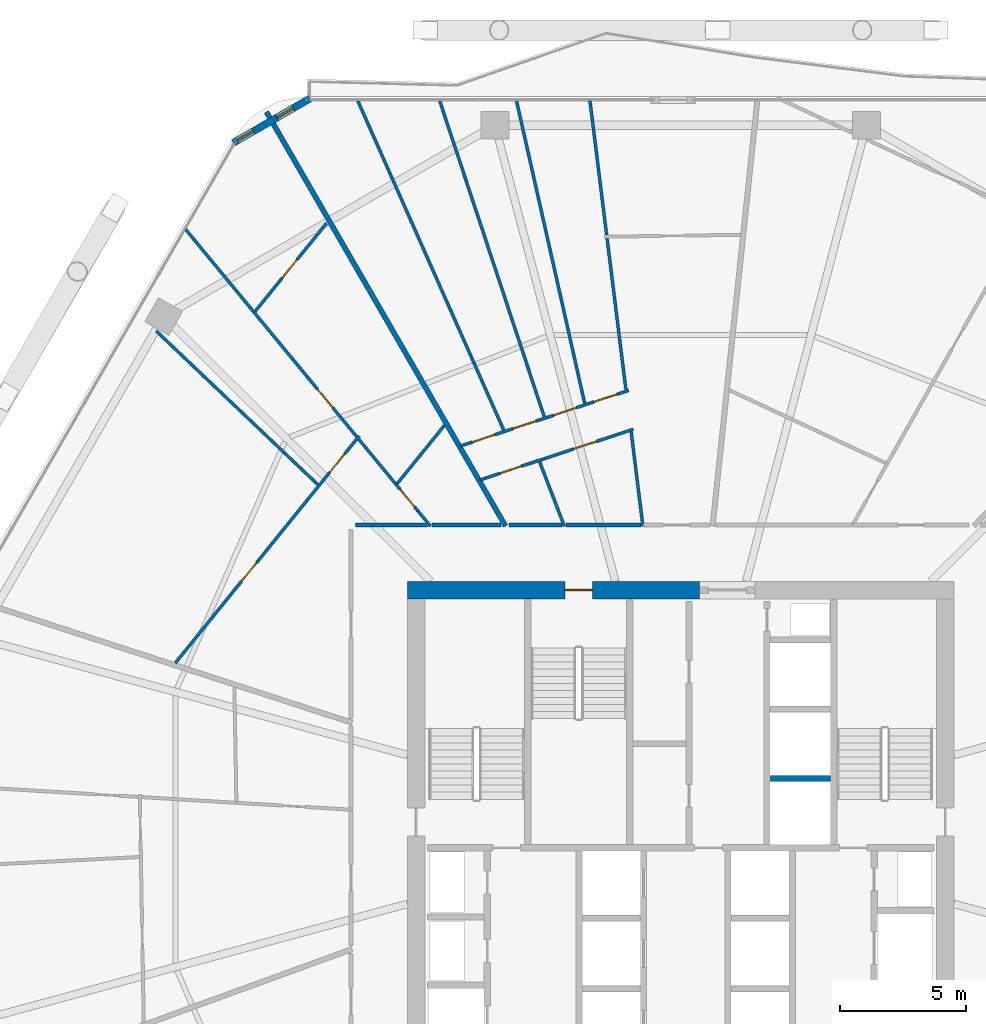
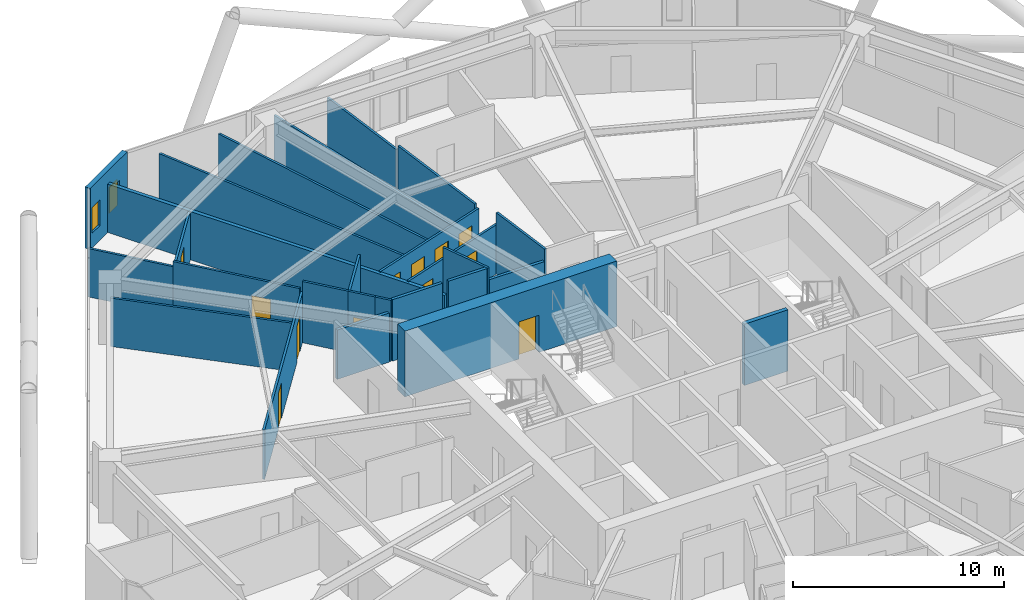
# One storey, part 30 of 35: 26 walls, 12 doors, 2 windows, 14 openings.
"""IFC4 building model written with IfcOpenShell, lengths in metres."""

from ifc_helpers import new_model, si_unit, direction, frame, frame_2d, origin, place, context, subcontext, project, spatial, rectangle, extrude, material, layer, layer_set, type_object, element, fill, save


model = new_model("IFC4")

# Units and contexts
model_context = context("Model", 3, precision=1e-05, world=origin(), true_north=direction((0.0, 1.0)))
body_context = subcontext(model_context, "Body", "Model", "MODEL_VIEW")
ifc_project = project(units=[si_unit("LENGTHUNIT", "METRE"), si_unit("AREAUNIT", "SQUARE_METRE"), si_unit("VOLUMEUNIT", "CUBIC_METRE"), si_unit("PLANEANGLEUNIT", "RADIAN"), si_unit("MASSUNIT", "GRAM", prefix="KILO")], contexts=[model_context])

# Site, building, storey
site_placement = place(None, origin())
site = spatial("IfcSite", under=ifc_project, at=site_placement, CompositionType="ELEMENT")
building_placement = place(site_placement, origin())
building = spatial("IfcBuilding", under=site, at=building_placement, Name="Zuhravey Tower", CompositionType="ELEMENT")
storey_placement = place(building_placement, frame((0.0, 0.0, 92.39990234375)))
storey = spatial("IfcBuildingStorey", under=building, at=storey_placement, Name="L22", CompositionType="ELEMENT", Elevation=92.39990234375)

# Wall, opening, door
ifc_material_1 = material(Name="Concrete C60/75", Category="concrete")
ifc_layer_1 = layer(ifc_material_1, 0.699951171875)
ifc_layer_set_1 = layer_set([ifc_layer_1], Name="Concrete C60/75")
wall_type_1 = type_object("IfcWallType", Name="Core Shear Wall 700", PredefinedType="SHEAR", material=ifc_layer_set_1)
wall_1_placement = place(storey_placement, frame((36.75, 41.5, 0.0), z_axis=(0.0, 0.0, 1.0), x_axis=(-1.0, 0.0, 0.0)))
wall_1 = element("IfcWall", 1, at=wall_1_placement, inside=storey, type_object=wall_type_1, Name="L22 North-West Core Shear Wall CW70", PredefinedType="SHEAR", context=body_context, shape_type="SweptSolid", body=[
    extrude(rectangle(XDim=11.60009765625, YDim=0.699951171875, at=frame_2d((5.800048828125, 0.0))), origin(), (0.0, 0.0, 1.0), 3.800048828125),
])
opening_1_placement = place(wall_1_placement, frame((4.25, 0.0, 0.0)))
opening_1 = element("IfcOpeningElement", 2, at=opening_1_placement, cuts=wall_1, Name="Opening STD1", PredefinedType="OPENING", context=body_context, shape_type="SweptSolid", body=[
    extrude(rectangle(XDim=1.10009765625, YDim=2.14990234375, at=frame_2d((0.550048828125, 1.074951171875))), frame((0.0, 0.362060546875, 0.0), z_axis=(0.0, -1.0, 0.0), x_axis=(1.0, 0.0, 0.0)), (0.0, 0.0, 1.0), 0.723876953125),
])
ifc_material_2 = material(Name="Galvanised fire-rated steel leaf", Category="steel")
door_type_1 = type_object("IfcDoorType", Name="Protected Stair Fire Door 1100x2150", OperationType="NOTDEFINED", PredefinedType="USERDEFINED", material=ifc_material_2)
door_1_placement = place(opening_1_placement, origin())
door_1 = element("IfcDoor", 3, at=door_1_placement, inside=storey, type_object=door_type_1, Name="L22 Stair ST3 Door", ObjectType="EXITDOOR", OperationType="SINGLE_SWING_RIGHT", OverallHeight=2.14990234375, OverallWidth=1.10009765625, PredefinedType="USERDEFINED", context=body_context, shape_type="SweptSolid", body=[
    extrude(rectangle(XDim=1.10009765625, YDim=2.14990234375, at=frame_2d((0.550048828125, 1.074951171875))), frame((0.0, 0.02490234375, 0.0), z_axis=(0.0, -1.0, 0.0), x_axis=(1.0, 0.0, 0.0)), (0.0, 0.0, 1.0), 0.050048828125),
])
fill(opening_1, door_1)

# Walls
ifc_material_3 = material(Name="Gypsum fire-rated stud partition")
ifc_layer_2 = layer(ifc_material_3, 0.159912109375)
ifc_layer_set_2 = layer_set([ifc_layer_2], Name="Gypsum fire-rated stud partition")
wall_type_2 = type_object("IfcWallType", Name="Corridor Fire Partition 160", PredefinedType="PARTITIONING", material=ifc_layer_set_2)
wall_2_placement = place(storey_placement, frame((34.427001953125, 44.080078125, 0.0), z_axis=(0.0, 0.0, 1.0), x_axis=(-1.0, 0.0, 0.0)))
element("IfcWall", 4, at=wall_2_placement, inside=storey, type_object=wall_type_2, Name="L22 IW16 Partition 122", PredefinedType="PARTITIONING", context=body_context, shape_type="SweptSolid", body=[
    extrude(rectangle(XDim=2.98828125, YDim=0.159912109375, at=frame_2d((1.494140625, 0.0))), origin(), (0.0, 0.0, 1.0), 2.85009765625),
])
wall_3_placement = place(storey_placement, frame((31.29296875, 44.080078125, 0.0), z_axis=(0.0, 0.0, 1.0), x_axis=(-1.0, 0.0, 0.0)))
element("IfcWall", 5, at=wall_3_placement, inside=storey, type_object=wall_type_2, Name="L22 IW16 Partition 123", PredefinedType="PARTITIONING", context=body_context, shape_type="SweptSolid", body=[
    extrude(rectangle(XDim=2.1044921875, YDim=0.159912109375, at=frame_2d((1.05224609375, 0.0))), origin(), (0.0, 0.0, 1.0), 3.550048828125),
])
wall_4_placement = place(storey_placement, frame((25.94677734375, 44.080078125, 0.0), z_axis=(0.0, 0.0, 1.0), x_axis=(-1.0, 0.0, 0.0)))
element("IfcWall", 6, at=wall_4_placement, inside=storey, type_object=wall_type_2, Name="L22 IW16 Partition 124", PredefinedType="PARTITIONING", context=body_context, shape_type="SweptSolid", body=[
    extrude(rectangle(XDim=2.8466796875, YDim=0.159912109375, at=frame_2d((1.42333984375, 0.0))), origin(), (0.0, 0.0, 1.0), 2.85009765625),
])
wall_5_placement = place(storey_placement, frame((28.861083984375, 44.080078125, 0.0), z_axis=(0.0, 0.0, 1.0), x_axis=(-1.0, 0.0, 0.0)))
element("IfcWall", 7, at=wall_5_placement, inside=storey, type_object=wall_type_2, Name="L22 IW16 Partition 125", PredefinedType="PARTITIONING", context=body_context, shape_type="SweptSolid", body=[
    extrude(rectangle(XDim=2.738037109375, YDim=0.159912109375, at=frame_2d((1.369140625, 0.0))), origin(), (0.0, 0.0, 1.0), 3.550048828125),
])

# Wall, openings, windows
ifc_material_4 = material(Name="Precast concrete C40/50", Category="concrete")
ifc_layer_3 = layer(ifc_material_4, 0.280029296875)
ifc_layer_set_3 = layer_set([ifc_layer_3], Name="Precast concrete C40/50")
wall_type_3 = type_object("IfcWallType", Name="Crown Architectural Wall 280", PredefinedType="SOLIDWALL", material=ifc_layer_set_3)
wall_6_placement = place(storey_placement, frame((18.23876953125, 59.24853515625, 0.0), z_axis=(0.0, 0.0, 1.0), x_axis=(0.866007452331, 0.500031091541, 0.0)))
wall_6 = element("IfcWall", 8, at=wall_6_placement, inside=storey, type_object=wall_type_3, Name="L22 Rounded Corner Closure Wall EW28-08", PredefinedType="SOLIDWALL", context=body_context, shape_type="SweptSolid", body=[
    extrude(rectangle(XDim=3.514892578125, YDim=0.280029296875, at=frame_2d((1.75732421875, 0.0))), origin(), (0.0, 0.0, 1.0), 3.550048828125),
])
opening_2_placement = place(wall_6_placement, frame((2.0087890625, 0.0, 0.85009765625)))
opening_2 = element("IfcOpeningElement", 9, at=opening_2_placement, cuts=wall_6, Name="Opening WN5", PredefinedType="OPENING", context=body_context, shape_type="SweptSolid", body=[
    extrude(rectangle(XDim=0.75, YDim=1.5, at=frame_2d((0.375, 0.75))), frame((0.0, 0.152099609375, 0.0), z_axis=(0.0, -1.0, 0.0), x_axis=(1.0, 0.0, 0.0)), (0.0, 0.0, 1.0), 0.303955078125),
])
opening_3_placement = place(wall_6_placement, frame((0.18212890625, 0.0, 0.85009765625)))
opening_3 = element("IfcOpeningElement", 10, at=opening_3_placement, cuts=wall_6, Name="Opening WN5", PredefinedType="OPENING", context=body_context, shape_type="SweptSolid", body=[
    extrude(rectangle(XDim=0.75, YDim=1.5, at=frame_2d((0.375, 0.75))), frame((0.0, 0.152099609375, 0.0), z_axis=(0.0, -1.0, 0.0), x_axis=(1.0, 0.0, 0.0)), (0.0, 0.0, 1.0), 0.303955078125),
])
ifc_material_5 = material(Name="Thermally broken aluminium and triple low-E glass", Category="aluminium")
window_type = type_object("IfcWindowType", Name="Residential Corner Casement Window 750x1500", PartitioningType="SINGLE_PANEL", PredefinedType="WINDOW", material=ifc_material_5)
window_1_placement = place(opening_2_placement, origin())
window_1 = element("IfcWindow", 11, at=window_1_placement, inside=storey, type_object=window_type, Name="L22 Corner Casement Window WN5-08.1", OverallHeight=1.5, OverallWidth=0.75, PartitioningType="SINGLE_PANEL", PredefinedType="WINDOW", context=body_context, shape_type="SweptSolid", body=[
    extrude(rectangle(XDim=0.75, YDim=1.5, at=frame_2d((0.375, 0.75))), frame((0.0, 0.030029296875, 0.0), z_axis=(0.0, -1.0, 0.0), x_axis=(1.0, 0.0, 0.0)), (0.0, 0.0, 1.0), 0.06005859375),
])
fill(opening_2, window_1)
window_2_placement = place(opening_3_placement, origin())
window_2 = element("IfcWindow", 12, at=window_2_placement, inside=storey, type_object=window_type, Name="L22 Corner Casement Window WN5-08.2", OverallHeight=1.5, OverallWidth=0.75, PartitioningType="SINGLE_PANEL", PredefinedType="WINDOW", context=body_context, shape_type="SweptSolid", body=[
    extrude(rectangle(XDim=0.75, YDim=1.5, at=frame_2d((0.375, 0.75))), frame((0.0, 0.030029296875, 0.0), z_axis=(0.0, -1.0, 0.0), x_axis=(1.0, 0.0, 0.0)), (0.0, 0.0, 1.0), 0.06005859375),
])
fill(opening_3, window_2)

# Walls
ifc_material_6 = material(Name="Gypsum double-stud party assembly")
ifc_layer_4 = layer(ifc_material_6, 0.199951171875)
ifc_layer_set_4 = layer_set([ifc_layer_4], Name="Gypsum double-stud party assembly")
wall_type_4 = type_object("IfcWallType", Name="Inter-Tenancy Party Wall 200", PredefinedType="PARTITIONING", material=ifc_layer_set_4)
wall_7_placement = place(storey_placement, frame((29.048583984375, 44.0400390625, 0.0), z_axis=(0.0, 0.0, 1.0), x_axis=(-0.499993398997, 0.866029214842, 0.0)))
element("IfcWall", 13, at=wall_7_placement, inside=storey, type_object=wall_type_4, Name="L22 IW20 Partition 089", PredefinedType="PARTITIONING", context=body_context, shape_type="SweptSolid", body=[
    extrude(rectangle(XDim=18.979736328125, YDim=0.199951171875, at=frame_2d((9.48974609375, 0.0))), origin(), (0.0, 0.0, 1.0), 2.800048828125),
])
ifc_material_7 = material(Name="Gypsum acoustic stud assembly")
ifc_layer_5 = layer(ifc_material_7, 0.219970703125)
ifc_layer_set_5 = layer_set([ifc_layer_5], Name="Gypsum acoustic stud assembly")
wall_type_5 = type_object("IfcWallType", Name="School Acoustic Compartment Wall 220", PredefinedType="PARTITIONING", material=ifc_layer_set_5)
wall_8_placement = place(storey_placement, frame((39.55810546875, 34.02490234375, 0.0), z_axis=(0.0, 0.0, 1.0), x_axis=(1.0, 0.0, 0.0)))
element("IfcWall", 14, at=wall_8_placement, inside=storey, type_object=wall_type_5, Name="L22 IW22 Partition 063", PredefinedType="PARTITIONING", context=body_context, shape_type="SweptSolid", body=[
    extrude(rectangle(XDim=2.3837890625, YDim=0.219970703125, at=frame_2d((1.19189453125, 0.0))), origin(), (0.0, 0.0, 1.0), 3.550048828125),
])

# Wall, openings, doors
ifc_material_8 = material(Name="Gypsum metal-stud partition")
ifc_layer_6 = layer(ifc_material_8, 0.1201171875)
ifc_layer_set_6 = layer_set([ifc_layer_6], Name="Gypsum metal-stud partition")
wall_type_6 = type_object("IfcWallType", Name="Unit Internal Partition 120", PredefinedType="PARTITIONING", material=ifc_layer_set_6)
wall_9_placement = place(storey_placement, frame((34.1220703125, 47.885498046875, 0.0), z_axis=(0.0, 0.0, 1.0), x_axis=(-0.949423400421, -0.313998736834, 0.0)))
wall_9 = element("IfcWall", 15, at=wall_9_placement, inside=storey, type_object=wall_type_6, Name="L22 IW12 Partition 032", PredefinedType="PARTITIONING", context=body_context, shape_type="SweptSolid", body=[
    extrude(rectangle(XDim=6.409912109375, YDim=0.1201171875, at=frame_2d((3.205078125, 0.0))), origin(), (0.0, 0.0, 1.0), 2.85009765625),
])
opening_4_placement = place(wall_9_placement, frame((1.54638671875, 0.0, 0.0)))
opening_4 = element("IfcOpeningElement", 16, at=opening_4_placement, cuts=wall_9, Name="Opening IND1", PredefinedType="OPENING", context=body_context, shape_type="SweptSolid", body=[
    extrude(rectangle(XDim=0.949951171875, YDim=2.10009765625, at=frame_2d((0.47509765625, 1.050048828125))), frame((0.0, 0.072021484375, 0.0), z_axis=(0.0, -1.0, 0.0), x_axis=(1.0, 0.0, 0.0)), (0.0, 0.0, 1.0), 0.14404296875),
])
opening_5_placement = place(wall_9_placement, frame((4.67431640625, 0.0, 0.0)))
opening_5 = element("IfcOpeningElement", 17, at=opening_5_placement, cuts=wall_9, Name="Opening WCD1", PredefinedType="OPENING", context=body_context, shape_type="SweptSolid", body=[
    extrude(rectangle(XDim=0.89990234375, YDim=2.10009765625, at=frame_2d((0.449951171875, 1.050048828125))), frame((0.0, 0.072021484375, 0.0), z_axis=(0.0, -1.0, 0.0), x_axis=(1.0, 0.0, 0.0)), (0.0, 0.0, 1.0), 0.14404296875),
])
ifc_material_9 = material(Name="Moisture-resistant timber leaf", Category="wood")
door_type_2 = type_object("IfcDoorType", Name="Bathroom & WC Internal Door 900x2100", OperationType="NOTDEFINED", PredefinedType="DOOR", material=ifc_material_9)
door_2_placement = place(opening_5_placement, origin())
door_2 = element("IfcDoor", 18, at=door_2_placement, inside=storey, type_object=door_type_2, Name="Apartment L22-03 Bathroom Door", OperationType="SINGLE_SWING_LEFT", OverallHeight=2.10009765625, OverallWidth=0.89990234375, PredefinedType="DOOR", context=body_context, shape_type="SweptSolid", body=[
    extrude(rectangle(XDim=0.89990234375, YDim=2.10009765625, at=frame_2d((0.449951171875, 1.050048828125))), frame((0.0, 0.02490234375, 0.0), z_axis=(0.0, -1.0, 0.0), x_axis=(1.0, 0.0, 0.0)), (0.0, 0.0, 1.0), 0.050048828125),
])
fill(opening_5, door_2)
ifc_material_10 = material(Name="Painted engineered timber leaf", Category="wood")
door_type_3 = type_object("IfcDoorType", Name="Internal Room & Bedroom Door 950x2100", OperationType="NOTDEFINED", PredefinedType="DOOR", material=ifc_material_10)
door_3_placement = place(opening_4_placement, origin())
door_3 = element("IfcDoor", 19, at=door_3_placement, inside=storey, type_object=door_type_3, Name="Apartment L22-03 Kitchen Door", OperationType="SINGLE_SWING_RIGHT", OverallHeight=2.10009765625, OverallWidth=0.949951171875, PredefinedType="DOOR", context=body_context, shape_type="SweptSolid", body=[
    extrude(rectangle(XDim=0.949951171875, YDim=2.10009765625, at=frame_2d((0.47509765625, 1.050048828125))), frame((0.0, 0.02490234375, 0.0), z_axis=(0.0, -1.0, 0.0), x_axis=(1.0, 0.0, 0.0)), (0.0, 0.0, 1.0), 0.050048828125),
])
fill(opening_4, door_3)

wall_10_placement = place(storey_placement, frame((33.9306640625, 49.423095703125, 0.0), z_axis=(0.0, 0.0, 1.0), x_axis=(-0.949429209045, -0.313981173023, 0.0)))
wall_10 = element("IfcWall", 20, at=wall_10_placement, inside=storey, type_object=wall_type_6, Name="L22 IW12 Partition 033", PredefinedType="PARTITIONING", context=body_context, shape_type="SweptSolid", body=[
    extrude(rectangle(XDim=7.011962890625, YDim=0.1201171875, at=frame_2d((3.505859375, 0.0))), origin(), (0.0, 0.0, 1.0), 2.85009765625),
])
opening_6_placement = place(wall_10_placement, frame((0.485107421875, 0.0, 0.0)))
opening_6 = element("IfcOpeningElement", 21, at=opening_6_placement, cuts=wall_10, Name="Opening IND1", PredefinedType="OPENING", context=body_context, shape_type="SweptSolid", body=[
    extrude(rectangle(XDim=0.949951171875, YDim=2.10009765625, at=frame_2d((0.47509765625, 1.050048828125))), frame((0.0, 0.072021484375, 0.0), z_axis=(0.0, -1.0, 0.0), x_axis=(1.0, 0.0, 0.0)), (0.0, 0.0, 1.0), 0.14404296875),
])
opening_7_placement = place(wall_10_placement, frame((2.18798828125, 0.0, 0.0)))
opening_7 = element("IfcOpeningElement", 22, at=opening_7_placement, cuts=wall_10, Name="Opening IND1", PredefinedType="OPENING", context=body_context, shape_type="SweptSolid", body=[
    extrude(rectangle(XDim=0.949951171875, YDim=2.10009765625, at=frame_2d((0.47509765625, 1.050048828125))), frame((0.0, 0.072021484375, 0.0), z_axis=(0.0, -1.0, 0.0), x_axis=(1.0, 0.0, 0.0)), (0.0, 0.0, 1.0), 0.14404296875),
])
opening_8_placement = place(wall_10_placement, frame((3.8740234375, 0.0, 0.0)))
opening_8 = element("IfcOpeningElement", 23, at=opening_8_placement, cuts=wall_10, Name="Opening IND1", PredefinedType="OPENING", context=body_context, shape_type="SweptSolid", body=[
    extrude(rectangle(XDim=0.949951171875, YDim=2.10009765625, at=frame_2d((0.47509765625, 1.050048828125))), frame((0.0, 0.072021484375, 0.0), z_axis=(0.0, -1.0, 0.0), x_axis=(1.0, 0.0, 0.0)), (0.0, 0.0, 1.0), 0.14404296875),
])
opening_9_placement = place(wall_10_placement, frame((5.576904296875, 0.0, 0.0)))
opening_9 = element("IfcOpeningElement", 24, at=opening_9_placement, cuts=wall_10, Name="Opening IND1", PredefinedType="OPENING", context=body_context, shape_type="SweptSolid", body=[
    extrude(rectangle(XDim=0.949951171875, YDim=2.10009765625, at=frame_2d((0.47509765625, 1.050048828125))), frame((0.0, 0.072021484375, 0.0), z_axis=(0.0, -1.0, 0.0), x_axis=(1.0, 0.0, 0.0)), (0.0, 0.0, 1.0), 0.14404296875),
])
door_4_placement = place(opening_6_placement, frame((0.949951171875, 0.0, 0.0), z_axis=(0.0, 0.0, 1.0), x_axis=(-1.0, 0.0, 0.0)))
door_4 = element("IfcDoor", 25, at=door_4_placement, inside=storey, type_object=door_type_3, Name="Apartment L22-03 Bedroom 1 Door", OperationType="SINGLE_SWING_RIGHT", OverallHeight=2.10009765625, OverallWidth=0.949951171875, PredefinedType="DOOR", context=body_context, shape_type="SweptSolid", body=[
    extrude(rectangle(XDim=0.949951171875, YDim=2.10009765625, at=frame_2d((0.47509765625, 1.050048828125))), frame((0.0, 0.02490234375, 0.0), z_axis=(0.0, -1.0, 0.0), x_axis=(1.0, 0.0, 0.0)), (0.0, 0.0, 1.0), 0.050048828125),
])
fill(opening_6, door_4)
door_5_placement = place(opening_7_placement, frame((0.949951171875, 0.0, 0.0), z_axis=(0.0, 0.0, 1.0), x_axis=(-1.0, 0.0, 0.0)))
door_5 = element("IfcDoor", 26, at=door_5_placement, inside=storey, type_object=door_type_3, Name="Apartment L22-03 Bedroom 2 Door", OperationType="SINGLE_SWING_LEFT", OverallHeight=2.10009765625, OverallWidth=0.949951171875, PredefinedType="DOOR", context=body_context, shape_type="SweptSolid", body=[
    extrude(rectangle(XDim=0.949951171875, YDim=2.10009765625, at=frame_2d((0.47509765625, 1.050048828125))), frame((0.0, 0.02490234375, 0.0), z_axis=(0.0, -1.0, 0.0), x_axis=(1.0, 0.0, 0.0)), (0.0, 0.0, 1.0), 0.050048828125),
])
fill(opening_7, door_5)
door_6_placement = place(opening_8_placement, frame((0.949951171875, 0.0, 0.0), z_axis=(0.0, 0.0, 1.0), x_axis=(-1.0, 0.0, 0.0)))
door_6 = element("IfcDoor", 27, at=door_6_placement, inside=storey, type_object=door_type_3, Name="Apartment L22-03 Bedroom 3 Door", OperationType="SINGLE_SWING_RIGHT", OverallHeight=2.10009765625, OverallWidth=0.949951171875, PredefinedType="DOOR", context=body_context, shape_type="SweptSolid", body=[
    extrude(rectangle(XDim=0.949951171875, YDim=2.10009765625, at=frame_2d((0.47509765625, 1.050048828125))), frame((0.0, 0.02490234375, 0.0), z_axis=(0.0, -1.0, 0.0), x_axis=(1.0, 0.0, 0.0)), (0.0, 0.0, 1.0), 0.050048828125),
])
fill(opening_8, door_6)
door_7_placement = place(opening_9_placement, frame((0.949951171875, 0.0, 0.0), z_axis=(0.0, 0.0, 1.0), x_axis=(-1.0, 0.0, 0.0)))
door_7 = element("IfcDoor", 28, at=door_7_placement, inside=storey, type_object=door_type_3, Name="Apartment L22-03 Bedroom 4 Door", OperationType="SINGLE_SWING_LEFT", OverallHeight=2.10009765625, OverallWidth=0.949951171875, PredefinedType="DOOR", context=body_context, shape_type="SweptSolid", body=[
    extrude(rectangle(XDim=0.949951171875, YDim=2.10009765625, at=frame_2d((0.47509765625, 1.050048828125))), frame((0.0, 0.02490234375, 0.0), z_axis=(0.0, -1.0, 0.0), x_axis=(1.0, 0.0, 0.0)), (0.0, 0.0, 1.0), 0.050048828125),
])
fill(opening_9, door_7)

wall_11_placement = place(storey_placement, frame((23.24365234375, 47.620849609375, 0.0), z_axis=(0.0, 0.0, 1.0), x_axis=(-0.629321725732, -0.777144880651, 0.0)))
wall_11 = element("IfcWall", 29, at=wall_11_placement, inside=storey, type_object=wall_type_6, Name="L22 IW12 Partition 035", PredefinedType="PARTITIONING", context=body_context, shape_type="SweptSolid", body=[
    extrude(rectangle(XDim=11.6005859375, YDim=0.1201171875, at=frame_2d((5.80029296875, 0.0))), origin(), (0.0, 0.0, 1.0), 2.85009765625),
])
opening_10_placement = place(wall_11_placement, frame((0.916259765625, 0.0, 0.0)))
opening_10 = element("IfcOpeningElement", 30, at=opening_10_placement, cuts=wall_11, Name="Opening IND1", PredefinedType="OPENING", context=body_context, shape_type="SweptSolid", body=[
    extrude(rectangle(XDim=0.949951171875, YDim=2.10009765625, at=frame_2d((0.47509765625, 1.050048828125))), frame((0.0, 0.072021484375, 0.0), z_axis=(0.0, -1.0, 0.0), x_axis=(1.0, 0.0, 0.0)), (0.0, 0.0, 1.0), 0.14404296875),
])
opening_11_placement = place(wall_11_placement, frame((6.476318359375, 0.0, 0.0)))
opening_11 = element("IfcOpeningElement", 31, at=opening_11_placement, cuts=wall_11, Name="Opening IND1", PredefinedType="OPENING", context=body_context, shape_type="SweptSolid", body=[
    extrude(rectangle(XDim=0.949951171875, YDim=2.10009765625, at=frame_2d((0.47509765625, 1.050048828125))), frame((0.0, 0.072021484375, 0.0), z_axis=(0.0, -1.0, 0.0), x_axis=(1.0, 0.0, 0.0)), (0.0, 0.0, 1.0), 0.14404296875),
])
door_8_placement = place(opening_10_placement, frame((0.949951171875, 0.0, 0.0), z_axis=(0.0, 0.0, 1.0), x_axis=(-1.0, 0.0, 0.0)))
door_8 = element("IfcDoor", 32, at=door_8_placement, inside=storey, type_object=door_type_3, Name="Apartment L22-04 Family Study Door", OperationType="SINGLE_SWING_LEFT", OverallHeight=2.10009765625, OverallWidth=0.949951171875, PredefinedType="DOOR", context=body_context, shape_type="SweptSolid", body=[
    extrude(rectangle(XDim=0.949951171875, YDim=2.10009765625, at=frame_2d((0.47509765625, 1.050048828125))), frame((0.0, 0.02490234375, 0.0), z_axis=(0.0, -1.0, 0.0), x_axis=(1.0, 0.0, 0.0)), (0.0, 0.0, 1.0), 0.050048828125),
])
fill(opening_10, door_8)
door_9_placement = place(opening_11_placement, frame((0.949951171875, 0.0, 0.0), z_axis=(0.0, 0.0, 1.0), x_axis=(-1.0, 0.0, 0.0)))
door_9 = element("IfcDoor", 33, at=door_9_placement, inside=storey, type_object=door_type_3, Name="Apartment L22-04 Dining Room Door", OperationType="SINGLE_SWING_RIGHT", OverallHeight=2.10009765625, OverallWidth=0.949951171875, PredefinedType="DOOR", context=body_context, shape_type="SweptSolid", body=[
    extrude(rectangle(XDim=0.949951171875, YDim=2.10009765625, at=frame_2d((0.47509765625, 1.050048828125))), frame((0.0, 0.02490234375, 0.0), z_axis=(0.0, -1.0, 0.0), x_axis=(1.0, 0.0, 0.0)), (0.0, 0.0, 1.0), 0.050048828125),
])
fill(opening_11, door_9)

# Wall, opening, door
wall_12_placement = place(storey_placement, frame((25.564697265625, 44.64990234375, 0.0), z_axis=(0.0, 0.0, 1.0), x_axis=(-0.636278938951, 0.771459079827, 0.0)))
wall_12 = element("IfcWall", 34, at=wall_12_placement, inside=storey, type_object=wall_type_6, Name="L22 IW12 Partition 036", PredefinedType="PARTITIONING", context=body_context, shape_type="SweptSolid", body=[
    extrude(rectangle(XDim=1.36181640625, YDim=0.1201171875, at=frame_2d((0.680908203125, 0.0))), origin(), (0.0, 0.0, 1.0), 3.550048828125),
])
opening_12_placement = place(wall_12_placement, frame((0.199951171875, 0.0, 0.0)))
opening_12 = element("IfcOpeningElement", 35, at=opening_12_placement, cuts=wall_12, Name="Opening WCD1", PredefinedType="OPENING", context=body_context, shape_type="SweptSolid", body=[
    extrude(rectangle(XDim=0.89990234375, YDim=2.10009765625, at=frame_2d((0.449951171875, 1.050048828125))), frame((0.0, 0.072021484375, 0.0), z_axis=(0.0, -1.0, 0.0), x_axis=(1.0, 0.0, 0.0)), (0.0, 0.0, 1.0), 0.14404296875),
])
door_10_placement = place(opening_12_placement, frame((0.89990234375, 0.0, 0.0), z_axis=(0.0, 0.0, 1.0), x_axis=(-1.0, 0.0, 0.0)))
door_10 = element("IfcDoor", 36, at=door_10_placement, inside=storey, type_object=door_type_2, Name="Apartment L22-04 Bathroom Door", OperationType="SINGLE_SWING_LEFT", OverallHeight=2.10009765625, OverallWidth=0.89990234375, PredefinedType="DOOR", context=body_context, shape_type="SweptSolid", body=[
    extrude(rectangle(XDim=0.89990234375, YDim=2.10009765625, at=frame_2d((0.449951171875, 1.050048828125))), frame((0.0, 0.02490234375, 0.0), z_axis=(0.0, -1.0, 0.0), x_axis=(1.0, 0.0, 0.0)), (0.0, 0.0, 1.0), 0.050048828125),
])
fill(opening_12, door_10)

# Wall
wall_13_placement = place(storey_placement, frame((24.6982421875, 45.700439453125, 0.0), z_axis=(0.0, 0.0, 1.0), x_axis=(-0.636404893794, 0.771355178342, 0.0)))
element("IfcWall", 37, at=wall_13_placement, inside=storey, type_object=wall_type_6, Name="L22 IW12 Partition 037", PredefinedType="PARTITIONING", context=body_context, shape_type="SweptSolid", body=[
    extrude(rectangle(XDim=2.3173828125, YDim=0.1201171875, at=frame_2d((1.15869140625, 0.0))), origin(), (0.0, 0.0, 1.0), 3.550048828125),
])

# Wall, opening, door
wall_14_placement = place(storey_placement, frame((23.13525390625, 47.59521484375, 0.0), z_axis=(0.0, 0.0, 1.0), x_axis=(-0.636375017003, 0.77137982715, 0.0)))
wall_14 = element("IfcWall", 38, at=wall_14_placement, inside=storey, type_object=wall_type_6, Name="L22 IW12 Partition 038", PredefinedType="PARTITIONING", context=body_context, shape_type="SweptSolid", body=[
    extrude(rectangle(XDim=6.4052734375, YDim=0.1201171875, at=frame_2d((3.20263671875, 0.0))), origin(), (0.0, 0.0, 1.0), 3.10009765625),
])
opening_13_placement = place(wall_14_placement, frame((1.474365234375, 0.0, 0.0)))
opening_13 = element("IfcOpeningElement", 39, at=opening_13_placement, cuts=wall_14, Name="Opening IND1", PredefinedType="OPENING", context=body_context, shape_type="SweptSolid", body=[
    extrude(rectangle(XDim=0.949951171875, YDim=2.10009765625, at=frame_2d((0.47509765625, 1.050048828125))), frame((0.0, 0.072021484375, 0.0), z_axis=(0.0, -1.0, 0.0), x_axis=(1.0, 0.0, 0.0)), (0.0, 0.0, 1.0), 0.14404296875),
])
door_11_placement = place(opening_13_placement, frame((0.949951171875, 0.0, 0.0), z_axis=(0.0, 0.0, 1.0), x_axis=(-1.0, 0.0, 0.0)))
door_11 = element("IfcDoor", 40, at=door_11_placement, inside=storey, type_object=door_type_3, Name="Apartment L22-04 Home Office Door", OperationType="SINGLE_SWING_RIGHT", OverallHeight=2.10009765625, OverallWidth=0.949951171875, PredefinedType="DOOR", context=body_context, shape_type="SweptSolid", body=[
    extrude(rectangle(XDim=0.949951171875, YDim=2.10009765625, at=frame_2d((0.47509765625, 1.050048828125))), frame((0.0, 0.02490234375, 0.0), z_axis=(0.0, -1.0, 0.0), x_axis=(1.0, 0.0, 0.0)), (0.0, 0.0, 1.0), 0.050048828125),
])
fill(opening_13, door_11)

wall_15_placement = place(storey_placement, frame((21.944091796875, 56.05908203125, 0.0), z_axis=(0.0, 0.0, 1.0), x_axis=(-0.629293659157, -0.777167607756, 0.0)))
wall_15 = element("IfcWall", 41, at=wall_15_placement, inside=storey, type_object=wall_type_6, Name="L22 IW12 Partition 039", PredefinedType="PARTITIONING", context=body_context, shape_type="SweptSolid", body=[
    extrude(rectangle(XDim=4.489013671875, YDim=0.1201171875, at=frame_2d((2.24462890625, 0.0))), origin(), (0.0, 0.0, 1.0), 2.800048828125),
])
opening_14_placement = place(wall_15_placement, frame((1.855224609375, 0.0, 0.0)))
opening_14 = element("IfcOpeningElement", 42, at=opening_14_placement, cuts=wall_15, Name="Opening IND1", PredefinedType="OPENING", context=body_context, shape_type="SweptSolid", body=[
    extrude(rectangle(XDim=0.949951171875, YDim=2.10009765625, at=frame_2d((0.47509765625, 1.050048828125))), frame((0.0, 0.072021484375, 0.0), z_axis=(0.0, -1.0, 0.0), x_axis=(1.0, 0.0, 0.0)), (0.0, 0.0, 1.0), 0.14404296875),
])
door_12_placement = place(opening_14_placement, frame((0.949951171875, 0.0, 0.0), z_axis=(0.0, 0.0, 1.0), x_axis=(-1.0, 0.0, 0.0)))
door_12 = element("IfcDoor", 43, at=door_12_placement, inside=storey, type_object=door_type_3, Name="Apartment L22-04 Bedroom 1 Door", OperationType="SINGLE_SWING_LEFT", OverallHeight=2.10009765625, OverallWidth=0.949951171875, PredefinedType="DOOR", context=body_context, shape_type="SweptSolid", body=[
    extrude(rectangle(XDim=0.949951171875, YDim=2.10009765625, at=frame_2d((0.47509765625, 1.050048828125))), frame((0.0, 0.02490234375, 0.0), z_axis=(0.0, -1.0, 0.0), x_axis=(1.0, 0.0, 0.0)), (0.0, 0.0, 1.0), 0.050048828125),
])
fill(opening_14, door_12)

# Walls
wall_16_placement = place(storey_placement, frame((31.385009765625, 44.030029296875, 0.0), z_axis=(0.0, 0.0, 1.0), x_axis=(-0.35815382697, 0.933662592282, 0.0)))
element("IfcWall", 44, at=wall_16_placement, inside=storey, type_object=wall_type_6, Name="L22 IW12 Partition 082", PredefinedType="PARTITIONING", context=body_context, shape_type="SweptSolid", body=[
    extrude(rectangle(XDim=2.736083984375, YDim=0.1201171875, at=frame_2d((1.3681640625, 0.0))), origin(), (0.0, 0.0, 1.0), 3.550048828125),
])
wall_17_placement = place(storey_placement, frame((32.1875, 48.918212890625, 0.0), z_axis=(0.0, 0.0, 1.0), x_axis=(-0.2198592635, 0.975531600848, 0.0)))
element("IfcWall", 45, at=wall_17_placement, inside=storey, type_object=wall_type_6, Name="L22 IW12 Partition 083", PredefinedType="PARTITIONING", context=body_context, shape_type="SweptSolid", body=[
    extrude(rectangle(XDim=12.3525390625, YDim=0.1201171875, at=frame_2d((6.17626953125, 0.0))), origin(), (0.0, 0.0, 1.0), 2.800048828125),
])
wall_18_placement = place(storey_placement, frame((30.58056640625, 48.38671875, 0.0), z_axis=(0.0, 0.0, 1.0), x_axis=(-0.31398296165, 0.949428617534, 0.0)))
element("IfcWall", 46, at=wall_18_placement, inside=storey, type_object=wall_type_6, Name="L22 IW12 Partition 084", PredefinedType="PARTITIONING", context=body_context, shape_type="SweptSolid", body=[
    extrude(rectangle(XDim=13.251953125, YDim=0.1201171875, at=frame_2d((6.6259765625, 0.0))), origin(), (0.0, 0.0, 1.0), 2.800048828125),
])
wall_19_placement = place(storey_placement, frame((28.973876953125, 47.85546875, 0.0), z_axis=(0.0, 0.0, 1.0), x_axis=(-0.405149568186, 0.91425041832, 0.0)))
element("IfcWall", 47, at=wall_19_placement, inside=storey, type_object=wall_type_6, Name="L22 IW12 Partition 085", PredefinedType="PARTITIONING", context=body_context, shape_type="SweptSolid", body=[
    extrude(rectangle(XDim=14.343017578125, YDim=0.1201171875, at=frame_2d((7.17138671875, 0.0))), origin(), (0.0, 0.0, 1.0), 2.800048828125),
])
wall_20_placement = place(storey_placement, frame((34.501708984375, 44.0302734375, 0.0), z_axis=(0.0, 0.0, 1.0), x_axis=(-0.123637622929, 0.992327434971, 0.0)))
element("IfcWall", 48, at=wall_20_placement, inside=storey, type_object=wall_type_6, Name="L22 IW12 Partition 086", PredefinedType="PARTITIONING", context=body_context, shape_type="SweptSolid", body=[
    extrude(rectangle(XDim=3.783447265625, YDim=0.1201171875, at=frame_2d((1.8916015625, 0.0))), origin(), (0.0, 0.0, 1.0), 3.550048828125),
])
wall_21_placement = place(storey_placement, frame((33.8251953125, 49.4599609375, 0.0), z_axis=(0.0, 0.0, 1.0), x_axis=(-0.123607162853, 0.992331229626, 0.0)))
element("IfcWall", 49, at=wall_21_placement, inside=storey, type_object=wall_type_6, Name="L22 IW12 Partition 087", PredefinedType="PARTITIONING", context=body_context, shape_type="SweptSolid", body=[
    extrude(rectangle(XDim=6.0439453125, YDim=0.1201171875, at=frame_2d((3.02197265625, 0.0))), origin(), (0.0, 0.0, 1.0), 3.10009765625),
])
wall_22_placement = place(storey_placement, frame((33.061279296875, 55.593505859375, 0.0), z_axis=(0.0, 0.0, 1.0), x_axis=(-0.12359092377, 0.99233325227, 0.0)))
element("IfcWall", 50, at=wall_22_placement, inside=storey, type_object=wall_type_6, Name="L22 IW12 Partition 088", PredefinedType="PARTITIONING", context=body_context, shape_type="SweptSolid", body=[
    extrude(rectangle(XDim=5.41650390625, YDim=0.1201171875, at=frame_2d((2.708251953125, 0.0))), origin(), (0.0, 0.0, 1.0), 2.800048828125),
])
wall_23_placement = place(storey_placement, frame((21.593994140625, 45.69189453125, 0.0), z_axis=(0.0, 0.0, 1.0), x_axis=(-0.724829920805, 0.688927852467, 0.0)))
element("IfcWall", 51, at=wall_23_placement, inside=storey, type_object=wall_type_6, Name="L22 IW12 Partition 090", PredefinedType="PARTITIONING", context=body_context, shape_type="SweptSolid", body=[
    extrude(rectangle(XDim=8.846923828125, YDim=0.1201171875, at=frame_2d((4.42333984375, 0.0))), origin(), (0.0, 0.0, 1.0), 2.800048828125),
])
wall_24_placement = place(storey_placement, frame((26.072021484375, 44.034912109375, 0.0), z_axis=(0.0, 0.0, 1.0), x_axis=(-0.636351066899, 0.771399584947, 0.0)))
element("IfcWall", 52, at=wall_24_placement, inside=storey, type_object=wall_type_6, Name="L22 IW12 Partition 091", PredefinedType="PARTITIONING", context=body_context, shape_type="SweptSolid", body=[
    extrude(rectangle(XDim=0.797119140625, YDim=0.1201171875, at=frame_2d((0.3984375, 0.0))), origin(), (0.0, 0.0, 1.0), 3.550048828125),
])
wall_25_placement = place(storey_placement, frame((19.05908203125, 52.5361328125, 0.0), z_axis=(0.0, 0.0, 1.0), x_axis=(-0.636324617316, 0.771421403254, 0.0)))
element("IfcWall", 53, at=wall_25_placement, inside=storey, type_object=wall_type_6, Name="L22 IW12 Partition 092", PredefinedType="PARTITIONING", context=body_context, shape_type="SweptSolid", body=[
    extrude(rectangle(XDim=4.295654296875, YDim=0.1201171875, at=frame_2d((2.14794921875, 0.0))), origin(), (0.0, 0.0, 1.0), 2.800048828125),
])
wall_26_placement = place(storey_placement, frame((26.618896484375, 48.03271484375, 0.0), z_axis=(0.0, 0.0, 1.0), x_axis=(-0.629295602894, -0.777166033855, 0.0)))
element("IfcWall", 54, at=wall_26_placement, inside=storey, type_object=wall_type_6, Name="L22 IW12 Partition 093", PredefinedType="PARTITIONING", context=body_context, shape_type="SweptSolid", body=[
    extrude(rectangle(XDim=2.95703125, YDim=0.1201171875, at=frame_2d((1.478515625, 0.0))), origin(), (0.0, 0.0, 1.0), 3.550048828125),
])

save(model, "model.ifc")
